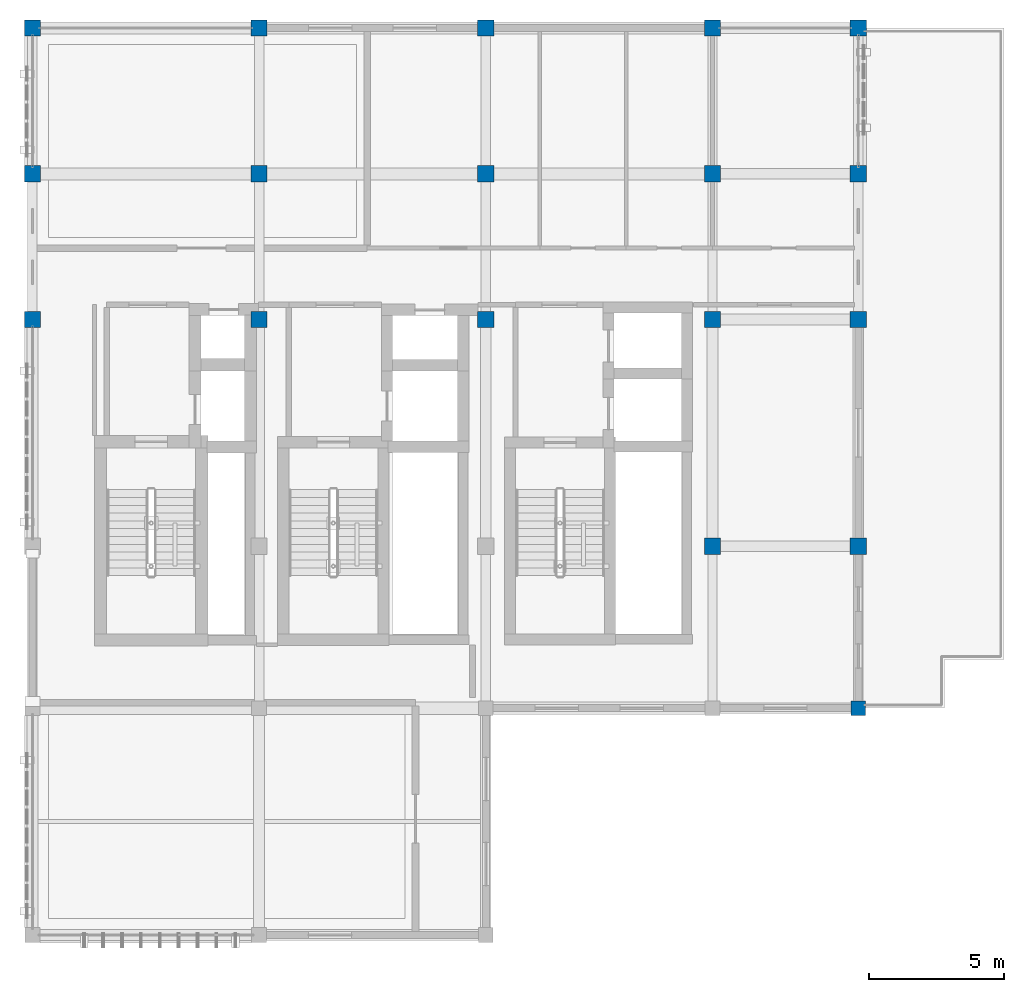
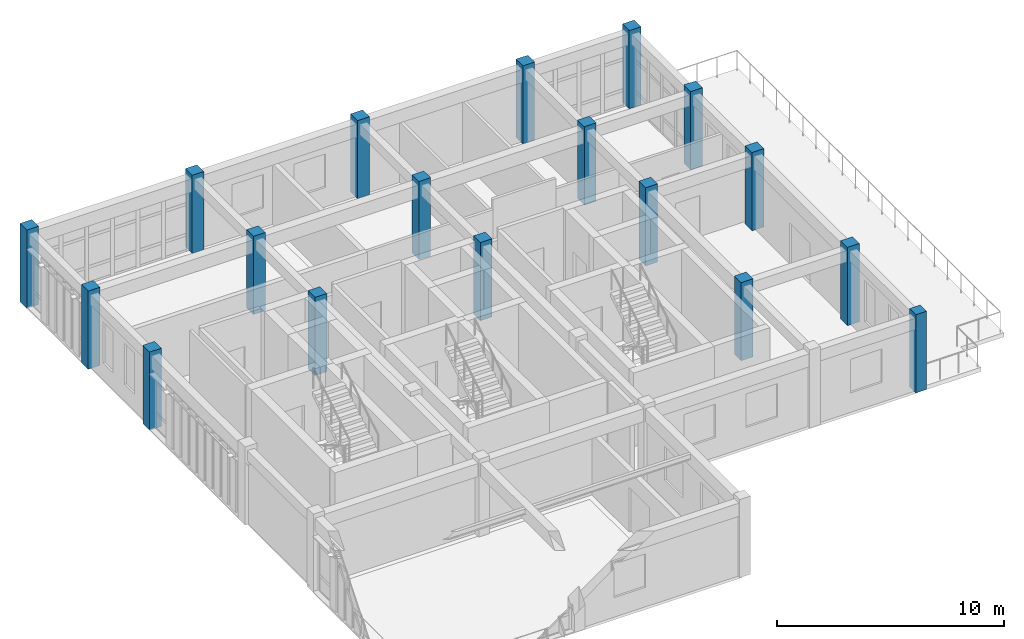
# One storey, part 3 of 21: 18 columns.
"""IFC4 building model written with IfcOpenShell, lengths in metres."""

from ifc_helpers import new_model, si_unit, direction, frame, origin, origin_2d, place, context, subcontext, project, spatial, rectangle, extrude, material, material_profile, profile_set, type_object, element, save


model = new_model("IFC4")

# Units and contexts
model_context = context("Model", 3, precision=1e-05, world=origin(), true_north=direction((0.0, 1.0)))
body_context = subcontext(model_context, "Body", "Model", "MODEL_VIEW")
ifc_project = project(units=[si_unit("LENGTHUNIT", "METRE"), si_unit("AREAUNIT", "SQUARE_METRE"), si_unit("VOLUMEUNIT", "CUBIC_METRE"), si_unit("PLANEANGLEUNIT", "RADIAN"), si_unit("MASSUNIT", "GRAM", prefix="KILO")], contexts=[model_context])

# Site, building, storey
site_placement = place(None, origin())
site = spatial("IfcSite", under=ifc_project, at=site_placement, CompositionType="ELEMENT")
building_placement = place(site_placement, origin())
building = spatial("IfcBuilding", under=site, at=building_placement, Name="Krzemoval Escarpment Law Courts", CompositionType="ELEMENT")
storey_placement = place(building_placement, frame((0.0, 0.0, 37.800048828125)))
storey = spatial("IfcBuildingStorey", under=building, at=storey_placement, Name="L08", CompositionType="ELEMENT", Elevation=37.800048828125)

# Columns
ifc_material_1 = material(Name="Concrete C40/50", Category="concrete")
ifc_material_profile_1 = material_profile(ifc_material_1, rectangle(XDim=0.550048828125, YDim=0.550048828125, at=origin_2d()), Name="RC 550x550")
ifc_profile_set_1 = profile_set([ifc_material_profile_1], Name="Concrete C40/50")
column_type_1 = type_object("IfcColumnType", Name="COL-RC-550", PredefinedType="COLUMN", material=ifc_profile_set_1)
column_placement = place(storey_placement, frame((156.60009765625, 93.60009765625, 0.0), z_axis=(0.0, 0.0, 1.0), x_axis=(1.0, 0.0, 0.0)))
element("IfcColumn", 1, at=column_placement, inside=storey, type_object=column_type_1, Name="Column FC-L08-1385", PredefinedType="COLUMN", context=body_context, shape_type="SweptSolid", body=[
    extrude(rectangle(XDim=0.550048828125, YDim=0.550048828125, at=origin_2d()), origin(), (0.0, 0.0, 1.0), 4.199951171875),
])
ifc_material_2 = material(Name="Concrete C40/50", Category="concrete")
ifc_material_profile_2 = material_profile(ifc_material_2, rectangle(XDim=0.60009765625, YDim=0.60009765625, at=origin_2d()), Name="RC 600x600")
ifc_profile_set_2 = profile_set([ifc_material_profile_2], Name="Concrete C40/50")
column_type_2 = type_object("IfcColumnType", Name="COL-RC-600", PredefinedType="COLUMN", material=ifc_profile_set_2)
for number, where, z_axis, x_axis, name in (
    (2, (126.0, 108.0, 0.0), (0.0, 0.0, 1.0), (1.0, 0.0, 0.0), "Column FC-L08-1365"),
    (3, (126.0, 113.39990234375, 0.0), (0.0, 0.0, 1.0), (1.0, 0.0, 0.0), "Column FC-L08-1366"),
    (4, (126.0, 118.800048828125, 0.0), (0.0, 0.0, 1.0), (1.0, 0.0, 0.0), "Column FC-L08-1367"),
    (5, (134.39990234375, 108.0, 0.0), (0.0, 0.0, 1.0), (1.0, 0.0, 0.0), "Column FC-L08-1371"),
    (6, (134.39990234375, 113.39990234375, 0.0), (0.0, 0.0, 1.0), (1.0, 0.0, 0.0), "Column FC-L08-1372"),
    (7, (134.39990234375, 118.800048828125, 0.0), (0.0, 0.0, 1.0), (1.0, 0.0, 0.0), "Column FC-L08-1373"),
    (8, (142.800048828125, 108.0, 0.0), (0.0, 0.0, 1.0), (1.0, 0.0, 0.0), "Column FC-L08-1377"),
    (9, (142.800048828125, 113.39990234375, 0.0), (0.0, 0.0, 1.0), (1.0, 0.0, 0.0), "Column FC-L08-1378"),
    (10, (142.800048828125, 118.800048828125, 0.0), (0.0, 0.0, 1.0), (1.0, 0.0, 0.0), "Column FC-L08-1379"),
    (11, (151.199951171875, 99.60009765625, 0.0), (0.0, 0.0, 1.0), (1.0, 0.0, 0.0), "Column FC-L08-1381"),
    (12, (151.199951171875, 108.0, 0.0), (0.0, 0.0, 1.0), (1.0, 0.0, 0.0), "Column FC-L08-1382"),
    (13, (151.199951171875, 113.39990234375, 0.0), (0.0, 0.0, 1.0), (1.0, 0.0, 0.0), "Column FC-L08-1383"),
    (14, (151.199951171875, 118.800048828125, 0.0), (0.0, 0.0, 1.0), (1.0, 0.0, 0.0), "Column FC-L08-1384"),
    (15, (156.60009765625, 99.60009765625, 0.0), (0.0, 0.0, 1.0), (1.0, 0.0, 0.0), "Column FC-L08-1386"),
    (16, (156.60009765625, 108.0, 0.0), (0.0, 0.0, 1.0), (1.0, 0.0, 0.0), "Column FC-L08-1387"),
    (17, (156.60009765625, 113.39990234375, 0.0), (0.0, 0.0, 1.0), (1.0, 0.0, 0.0), "Column FC-L08-1388"),
    (18, (156.60009765625, 118.800048828125, 0.0), (0.0, 0.0, 1.0), (1.0, 0.0, 0.0), "Column FC-L08-1389"),
):
    element("IfcColumn", number, at=place(storey_placement, frame(where, z_axis=z_axis, x_axis=x_axis)), inside=storey, type_object=column_type_2, Name=name, PredefinedType="COLUMN", context=body_context, shape_type="SweptSolid", body=[
        extrude(rectangle(XDim=0.60009765625, YDim=0.60009765625, at=origin_2d()), origin(), (0.0, 0.0, 1.0), 4.199951171875),
    ])

save(model, "model.ifc")
